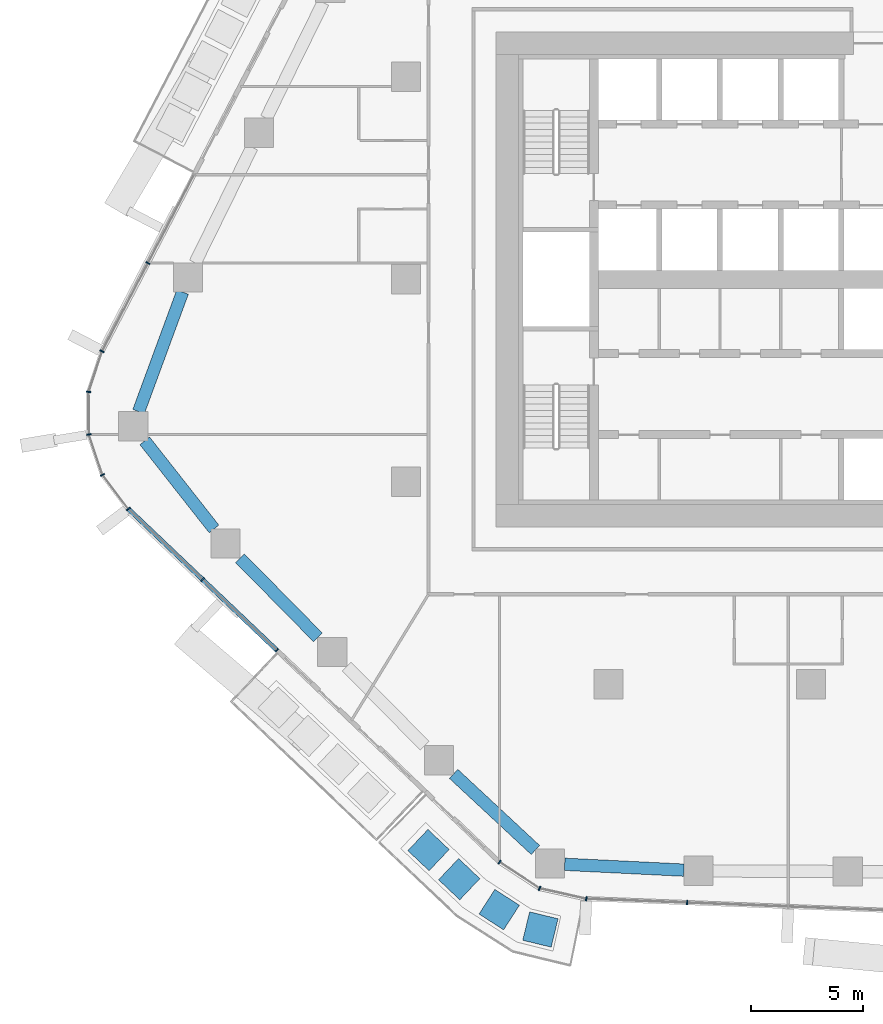
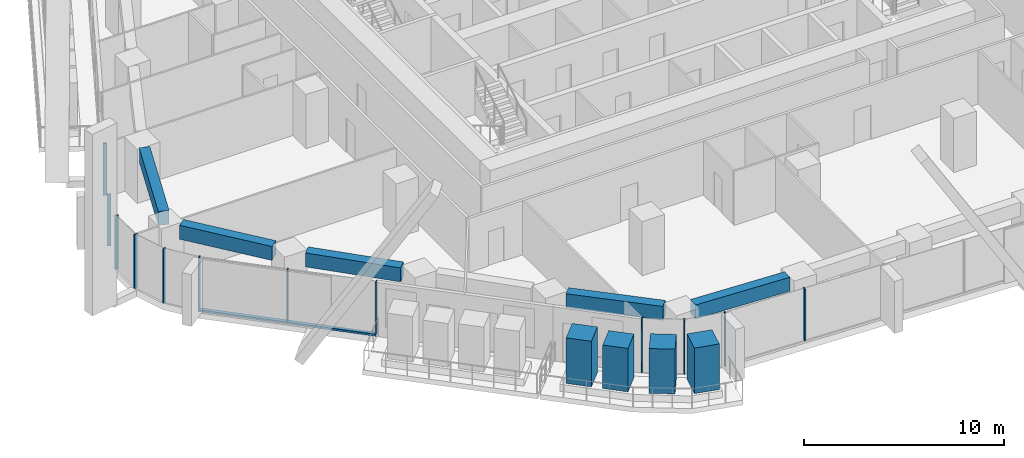
# One storey, part 2 of 24: 17 members, 5 beams, 5 elements without a shape of their own.
"""IFC4 building model written with IfcOpenShell, lengths in metres."""

import ifcopenshell
import ifcopenshell.guid

model = None  # the IFC model being written
_history = None  # IfcOwnerHistory: only IFC2X3 demands one
_inside = {}  # id of a spatial element -> (the spatial element, [elements in it])
_under = {}  # id of a project, library or spatial element -> (it, [spatial elements below it])
_declared = {}  # id of a project -> (the project, [libraries it declares])
_typed = {}  # id of a type object -> (the type object, [elements of that type])
_made_of = {}  # id of a material, layer set ... -> (it, [elements and type objects made of it])


def new_model(schema):
    """Start an empty IFC model of exactly this schema.

    Asked for "IFC4X3", IfcOpenShell would pick the latest addendum, in which some entities
    have other attributes; the version numbers below select the first issue.
    IFC2X3 requires an IfcOwnerHistory on every rooted entity: one is made here for all.
    """
    global model, _history
    if schema == "IFC4X3":
        model = ifcopenshell.file(schema_version=(4, 3, 0, 0))
    else:
        model = ifcopenshell.file(schema=schema)
    _inside.clear()
    _under.clear()
    _declared.clear()
    _typed.clear()
    _made_of.clear()
    _history = None
    if model.schema == "IFC2X3":
        org = make("IfcOrganization", Name="unknown")
        user = make(
            "IfcPersonAndOrganization",
            ThePerson=make("IfcPerson", FamilyName="unknown"),
            TheOrganization=org,
        )
        app = make(
            "IfcApplication",
            ApplicationDeveloper=org,
            Version="unknown",
            ApplicationFullName="unknown",
            ApplicationIdentifier="unknown",
        )
        _history = make(
            "IfcOwnerHistory",
            OwningUser=user,
            OwningApplication=app,
            ChangeAction="ADDED",
            CreationDate=0,
        )
    return model


def make(cls, **values):
    """One entity of the class cls with the attributes given. An attribute that is None is left unset."""
    return model.create_entity(
        cls, **{name: value for name, value in values.items() if value is not None}
    )


def rooted(cls, **values):
    """An entity with a GlobalId (a new one), such as an element, a storey or a relation."""
    return make(cls, GlobalId=ifcopenshell.guid.new(), OwnerHistory=_history, **values)


def si_unit(unit_type, name, prefix=None):
    """IfcSIUnit, for example si_unit("LENGTHUNIT", "METRE", prefix="MILLI")."""
    return make("IfcSIUnit", UnitType=unit_type, Prefix=prefix, Name=name)


def assignment(units):
    """IfcUnitAssignment: the units of a project."""
    return None if units is None else make("IfcUnitAssignment", Units=units)


def point(xyz):
    """IfcCartesianPoint."""
    return None if xyz is None else make("IfcCartesianPoint", Coordinates=xyz)


def direction(xyz):
    """IfcDirection."""
    return None if xyz is None else make("IfcDirection", DirectionRatios=xyz)


def frame(location, z_axis=None, x_axis=None):
    """IfcAxis2Placement3D, a coordinate frame: its origin and axes. An axis left out is left unset."""
    return make(
        "IfcAxis2Placement3D",
        Location=point(location),
        Axis=direction(z_axis),
        RefDirection=direction(x_axis),
    )


def frame_2d(location, x_axis=None):
    """IfcAxis2Placement2D, a coordinate frame in the plane: its origin and x axis."""
    return make(
        "IfcAxis2Placement2D", Location=point(location), RefDirection=direction(x_axis)
    )


def origin():
    """The frame at (0, 0, 0) with its axes left unset."""
    return frame((0.0, 0.0, 0.0))


def origin_2d():
    """The frame at (0, 0) in the plane with its x axis left unset."""
    return frame_2d((0.0, 0.0))


def place(relative_to, where):
    """IfcLocalPlacement: puts the frame where relative to a parent placement (None: the world)."""
    return make(
        "IfcLocalPlacement", PlacementRelTo=relative_to, RelativePlacement=where
    )


def context(
    kind, dimensions, precision=None, world=None, true_north=None, identifier=None
):
    """IfcGeometricRepresentationContext, for example the 3D "Model" context."""
    return make(
        "IfcGeometricRepresentationContext",
        ContextIdentifier=identifier,
        ContextType=kind,
        CoordinateSpaceDimension=dimensions,
        Precision=precision,
        WorldCoordinateSystem=world,
        TrueNorth=true_north,
    )


def subcontext(parent, identifier, kind, view, scale=None):
    """IfcGeometricRepresentationSubContext, for example "Body" below "Model"."""
    return make(
        "IfcGeometricRepresentationSubContext",
        ContextIdentifier=identifier,
        ContextType=kind,
        ParentContext=parent,
        TargetScale=scale,
        TargetView=view,
    )


def project(units=None, contexts=None):
    """IfcProject with its units and contexts."""
    return rooted(
        "IfcProject",
        Name="project",
        RepresentationContexts=contexts,
        UnitsInContext=assignment(units),
    )


def spatial(cls, under=None, at=None, **own):
    """A site, building, storey or space (cls), placed at a placement, below another one or the project."""
    s = rooted(cls, ObjectPlacement=at, **own)
    if under is not None:
        _under.setdefault(under.id(), (under, []))[1].append(s)
    return s


def profile(cls, at=None, kind="AREA", **sizes):
    """A parametric profile (cls). Its sizes go by their IFC names, for example OverallWidth=200.0."""
    return make(cls, ProfileType=kind, Position=at, **sizes)


def rectangle(**sizes):
    """IfcRectangleProfileDef."""
    return profile("IfcRectangleProfileDef", **sizes)


def extrude(swept, where, along, depth):
    """IfcExtrudedAreaSolid: the profile swept, set in the frame where, extruded along a direction by depth."""
    return make(
        "IfcExtrudedAreaSolid",
        SweptArea=swept,
        Position=where,
        ExtrudedDirection=direction(along),
        Depth=depth,
    )


def shape(context_of_items, identifier, shape_type, items):
    """IfcShapeRepresentation: the items that make up one representation, for example the "Body"."""
    return make(
        "IfcShapeRepresentation",
        ContextOfItems=context_of_items,
        RepresentationIdentifier=identifier,
        RepresentationType=shape_type,
        Items=items,
    )


def material(Name=None, Category=None):
    """IfcMaterial."""
    return make("IfcMaterial", Name=Name, Category=Category)


def layer(
    of_material, thickness, ventilated=None, Name=None, Category=None, Priority=None
):
    """IfcMaterialLayer: one layer of a wall or slab, of a material (None: an air gap)."""
    return make(
        "IfcMaterialLayer",
        Material=of_material,
        LayerThickness=thickness,
        IsVentilated=ventilated,
        Name=Name,
        Category=Category,
        Priority=Priority,
    )


def layer_set(layers, Name=None):
    """IfcMaterialLayerSet."""
    return make("IfcMaterialLayerSet", MaterialLayers=layers, LayerSetName=Name)


def material_profile(
    of_material, cross_section, Name=None, Category=None, Priority=None
):
    """IfcMaterialProfile: a cross section and its material."""
    return make(
        "IfcMaterialProfile",
        Name=Name,
        Material=of_material,
        Profile=cross_section,
        Priority=Priority,
        Category=Category,
    )


def profile_set(profiles, Name=None, composite=None):
    """IfcMaterialProfileSet."""
    return make(
        "IfcMaterialProfileSet",
        Name=Name,
        MaterialProfiles=profiles,
        CompositeProfile=composite,
    )


def made_of(thing, what):
    """Note that an element or type object is made of a material, layer set ...; save() writes the relation."""
    if what is not None:
        _made_of.setdefault(what.id(), (what, []))[1].append(thing)
    return thing


def type_object(cls, material=None, **own):
    """A type object (cls), such as IfcWallType, which elements share."""
    return made_of(rooted(cls, **own), material)


def element(
    cls,
    number,
    at=None,
    inside=None,
    cuts=None,
    type_object=None,
    material=None,
    context=None,
    identifier="Body",
    shape_type=None,
    held_by="IfcProductDefinitionShape",
    body=None,
    shapes=None,
    **own,
):
    """One element of the class cls, such as IfcWall. Its Tag is "e" and its number.

    at: its placement. inside: the storey or other place that contains it. cuts: it is an
    opening in that element (IfcRelVoidsElement). A single representation is given by context,
    identifier, shape_type and body (its items); several are given by shapes. held_by: the class
    of the entity that holds the representations. save() writes the other relations.
    """
    e = rooted(cls, Tag="e%d" % number, ObjectPlacement=at, **own)
    if body is not None:
        shapes = [shape(context, identifier, shape_type, body)]
    if shapes is not None:
        e.Representation = make(held_by, Representations=shapes)
    if inside is not None:
        _inside.setdefault(inside.id(), (inside, []))[1].append(e)
    if cuts is not None:
        rooted(
            "IfcRelVoidsElement", RelatingBuildingElement=cuts, RelatedOpeningElement=e
        )
    if type_object is not None:
        _typed.setdefault(type_object.id(), (type_object, []))[1].append(e)
    return made_of(e, material)


def aggregate(whole, parts):
    """IfcRelAggregates: a whole, such as a stair, and the parts it consists of."""
    return rooted("IfcRelAggregates", RelatingObject=whole, RelatedObjects=parts)


def save(model, path):
    """Write the relations noted so far, then the file.

    IfcRelAggregates (storeys below a building ...), IfcRelContainedInSpatialStructure (elements
    in a storey), IfcRelDefinesByType, IfcRelAssociatesMaterial and IfcRelDeclares: one each for
    every whole, place, type object, material and project.
    """
    for whole, parts in _under.values():
        aggregate(whole, parts)
    for where, things in _inside.values():
        rooted(
            "IfcRelContainedInSpatialStructure",
            RelatedElements=things,
            RelatingStructure=where,
        )
    for kind, things in _typed.values():
        rooted("IfcRelDefinesByType", RelatedObjects=things, RelatingType=kind)
    for what, things in _made_of.values():
        rooted("IfcRelAssociatesMaterial", RelatedObjects=things, RelatingMaterial=what)
    for by, libraries in _declared.values():
        rooted("IfcRelDeclares", RelatingContext=by, RelatedDefinitions=libraries)
    model.write(path)


model = new_model("IFC4")

# Units and contexts
model_context = context("Model", 3, precision=1e-05, world=origin(), true_north=direction((0.0, 1.0)))
body_context = subcontext(model_context, "Body", "Model", "MODEL_VIEW")
ifc_project = project(units=[si_unit("LENGTHUNIT", "METRE"), si_unit("AREAUNIT", "SQUARE_METRE"), si_unit("VOLUMEUNIT", "CUBIC_METRE"), si_unit("PLANEANGLEUNIT", "RADIAN"), si_unit("MASSUNIT", "GRAM", prefix="KILO")], contexts=[model_context])

# Site, building, storey
site_placement = place(None, origin())
site = spatial("IfcSite", under=ifc_project, at=site_placement, CompositionType="ELEMENT")
building_placement = place(site_placement, origin())
building = spatial("IfcBuilding", under=site, at=building_placement, Name="Dongbaek Canopy Tower", CompositionType="ELEMENT")
storey_placement = place(building_placement, frame((0.0, 0.0, 128.5)))
storey = spatial("IfcBuildingStorey", under=building, at=storey_placement, Name="L28", CompositionType="ELEMENT", Elevation=128.5)

# Curtain wall, members
ifc_material_1 = material(Name="Aluminium 6063-T6 pale anodised", Category="aluminium")
ifc_layer = layer(ifc_material_1, 0.199951171875)
ifc_layer_set = layer_set([ifc_layer], Name="CW-1 unitised tower curtain wall")
curtain_wall_type = type_object("IfcCurtainWallType", Name="CW-1 unitised tower curtain wall", PredefinedType="NOTDEFINED", material=ifc_layer_set)
curtain_wall_1_placement = place(storey_placement, origin())
curtain_wall_1 = element("IfcCurtainWall", 1, at=curtain_wall_1_placement, inside=storey, type_object=curtain_wall_type, Name="CW-1 curtain wall F2.1", PredefinedType="NOTDEFINED")
ifc_material_2 = material(Name="Aluminium 6063-T6 pale anodised", Category="aluminium")
ifc_material_profile_1 = material_profile(ifc_material_2, rectangle(XDim=0.199951171875, YDim=0.06005859375, at=origin_2d()), Name="CW-1 mullion 60 x 200")
ifc_profile_set_1 = profile_set([ifc_material_profile_1], Name="Aluminium 6063-T6 pale anodised")
member_type_1 = type_object("IfcMemberType", Name="CW-1 mullion 60 x 200", PredefinedType="MULLION", material=ifc_profile_set_1)
member_1_placement = place(storey_placement, frame((-29.468017578125, 0.722900390625, 0.1201171875), z_axis=(0.0, 0.0, 1.0), x_axis=(-0.886926731215, 0.461910135693, 0.0)))
member_1 = element("IfcMember", 2, at=member_1_placement, type_object=member_type_1, Name="CW-1 mullion F2.1.2", PredefinedType="MULLION", context=body_context, shape_type="SweptSolid", body=[
    extrude(rectangle(XDim=0.199951171875, YDim=0.06005859375, at=origin_2d()), origin(), (0.0, 0.0, 1.0), 3.179931640625),
])
member_2_placement = place(storey_placement, frame((-31.5078125, -3.19384765625, 0.1201171875), z_axis=(0.0, 0.0, 1.0), x_axis=(-0.886926731215, 0.461910135693, 0.0)))
member_2 = element("IfcMember", 3, at=member_2_placement, type_object=member_type_1, Name="CW-1 mullion F2.1.3", PredefinedType="MULLION", context=body_context, shape_type="SweptSolid", body=[
    extrude(rectangle(XDim=0.199951171875, YDim=0.06005859375, at=origin_2d()), origin(), (0.0, 0.0, 1.0), 3.179931640625),
])
aggregate(curtain_wall_1, [member_1, member_2])

curtain_wall_2_placement = place(storey_placement, origin())
curtain_wall_2 = element("IfcCurtainWall", 4, at=curtain_wall_2_placement, inside=storey, type_object=curtain_wall_type, Name="CW-1 curtain wall K3.1", PredefinedType="NOTDEFINED")
member_3_placement = place(storey_placement, frame((-32.1044921875, -5.0009765625, 0.0), z_axis=(0.0, 0.0, 1.0), x_axis=(-0.987615763611, 0.156892012119, 0.0)))
member_3 = element("IfcMember", 5, at=member_3_placement, type_object=member_type_1, Name="CW-1 mullion K3.1.2", PredefinedType="MULLION", context=body_context, shape_type="SweptSolid", body=[
    extrude(rectangle(XDim=0.199951171875, YDim=0.06005859375, at=origin_2d()), origin(), (0.0, 0.0, 1.0), 3.300048828125),
])
member_4_placement = place(storey_placement, frame((-32.09716796875, -6.8955078125, 0.0), z_axis=(0.0, 0.0, 1.0), x_axis=(-0.986408194435, -0.164313340761, 0.0)))
member_4 = element("IfcMember", 6, at=member_4_placement, type_object=member_type_1, Name="CW-1 mullion K3.1.3", PredefinedType="MULLION", context=body_context, shape_type="SweptSolid", body=[
    extrude(rectangle(XDim=0.199951171875, YDim=0.06005859375, at=origin_2d()), origin(), (0.0, 0.0, 1.0), 3.300048828125),
])
member_5_placement = place(storey_placement, frame((-31.48974609375, -8.690185546875, 0.0), z_axis=(0.0, 0.0, 1.0), x_axis=(-0.883428613843, -0.468565773658, 0.0)))
member_5 = element("IfcMember", 7, at=member_5_placement, type_object=member_type_1, Name="CW-1 mullion K3.1.4", PredefinedType="MULLION", context=body_context, shape_type="SweptSolid", body=[
    extrude(rectangle(XDim=0.199951171875, YDim=0.06005859375, at=origin_2d()), origin(), (0.0, 0.0, 1.0), 3.300048828125),
])
member_6_placement = place(storey_placement, frame((-30.33984375, -10.206298828125, 0.0), z_axis=(0.0, 0.0, 1.0), x_axis=(-0.796707337317, -0.604365302334, 0.0)))
member_6 = element("IfcMember", 8, at=member_6_placement, type_object=member_type_1, Name="CW-1 mullion K3.1.5", PredefinedType="MULLION", context=body_context, shape_type="SweptSolid", body=[
    extrude(rectangle(XDim=0.199951171875, YDim=0.06005859375, at=origin_2d()), origin(), (0.0, 0.0, 1.0), 3.300048828125),
])
aggregate(curtain_wall_2, [member_3, member_4, member_5, member_6])

curtain_wall_3_placement = place(storey_placement, origin())
curtain_wall_3 = element("IfcCurtainWall", 9, at=curtain_wall_3_placement, inside=storey, type_object=curtain_wall_type, Name="CW-1 curtain wall F3.1", PredefinedType="NOTDEFINED")
member_7_placement = place(storey_placement, frame((-27.04345703125, -13.342529296875, 0.1201171875), z_axis=(0.0, 0.0, 1.0), x_axis=(-0.689301871769, -0.724474243555, 0.0)))
member_7 = element("IfcMember", 10, at=member_7_placement, type_object=member_type_1, Name="CW-1 mullion F3.1.2", PredefinedType="MULLION", context=body_context, shape_type="SweptSolid", body=[
    extrude(rectangle(XDim=0.199951171875, YDim=0.06005859375, at=origin_2d()), origin(), (0.0, 0.0, 1.0), 3.179931640625),
])
member_8_placement = place(storey_placement, frame((-23.741455078125, -16.484375, 0.1201171875), z_axis=(0.0, 0.0, 1.0), x_axis=(-0.689301871769, -0.724474243555, 0.0)))
member_8 = element("IfcMember", 11, at=member_8_placement, type_object=member_type_1, Name="CW-1 mullion F3.1.3", PredefinedType="MULLION", context=body_context, shape_type="SweptSolid", body=[
    extrude(rectangle(XDim=0.199951171875, YDim=0.06005859375, at=origin_2d()), origin(), (0.0, 0.0, 1.0), 3.179931640625),
])

curtain_wall_4_placement = place(storey_placement, origin())
curtain_wall_4 = element("IfcCurtainWall", 12, at=curtain_wall_4_placement, inside=storey, type_object=curtain_wall_type, Name="CW-1 curtain wall K4.1", PredefinedType="NOTDEFINED")
member_9_placement = place(storey_placement, frame((-13.841796875, -25.9033203125, 0.0), z_axis=(0.0, 0.0, 1.0), x_axis=(-0.548059849958, -0.83643911964, 0.0)))
member_9 = element("IfcMember", 13, at=member_9_placement, type_object=member_type_1, Name="CW-1 mullion K4.1.1", PredefinedType="MULLION", context=body_context, shape_type="SweptSolid", body=[
    extrude(rectangle(XDim=0.199951171875, YDim=0.06005859375, at=origin_2d()), origin(), (0.0, 0.0, 1.0), 3.300048828125),
])
member_10_placement = place(storey_placement, frame((-12.062744140625, -27.069091796875, 0.0), z_axis=(0.0, 0.0, 1.0), x_axis=(-0.389013861584, -0.921231901041, 0.0)))
member_10 = element("IfcMember", 14, at=member_10_placement, type_object=member_type_1, Name="CW-1 mullion K4.1.2", PredefinedType="MULLION", context=body_context, shape_type="SweptSolid", body=[
    extrude(rectangle(XDim=0.199951171875, YDim=0.06005859375, at=origin_2d()), origin(), (0.0, 0.0, 1.0), 3.300048828125),
])
member_11_placement = place(storey_placement, frame((-9.98681640625, -27.53125, 0.0), z_axis=(0.0, 0.0, 1.0), x_axis=(-0.21733058588, -0.976098056776, 0.0)))
member_11 = element("IfcMember", 15, at=member_11_placement, type_object=member_type_1, Name="CW-1 mullion K4.1.3", PredefinedType="MULLION", context=body_context, shape_type="SweptSolid", body=[
    extrude(rectangle(XDim=0.199951171875, YDim=0.06005859375, at=origin_2d()), origin(), (0.0, 0.0, 1.0), 3.300048828125),
])
aggregate(curtain_wall_4, [member_9, member_10, member_11])

# Curtain wall, member
curtain_wall_5_placement = place(storey_placement, origin())
curtain_wall_5 = element("IfcCurtainWall", 16, at=curtain_wall_5_placement, inside=storey, type_object=curtain_wall_type, Name="CW-1 curtain wall F4.1", PredefinedType="NOTDEFINED")
member_12_placement = place(storey_placement, frame((-5.50341796875, -27.704345703125, 0.1201171875), z_axis=(0.0, 0.0, 1.0), x_axis=(-0.038587229989, -0.999255235504, 0.0)))
member_12 = element("IfcMember", 17, at=member_12_placement, type_object=member_type_1, Name="CW-1 mullion F4.1.2", PredefinedType="MULLION", context=body_context, shape_type="SweptSolid", body=[
    extrude(rectangle(XDim=0.199951171875, YDim=0.06005859375, at=origin_2d()), origin(), (0.0, 0.0, 1.0), 3.179931640625),
])
aggregate(curtain_wall_5, [member_12])

# Member
ifc_material_3 = material(Name="Aluminium 6063-T6 pale anodised", Category="aluminium")
ifc_material_profile_2 = material_profile(ifc_material_3, rectangle(XDim=0.199951171875, YDim=0.1201171875, at=origin_2d()), Name="CW-1 transom 120 x 200")
ifc_profile_set_2 = profile_set([ifc_material_profile_2], Name="Aluminium 6063-T6 pale anodised")
member_type_2 = type_object("IfcMemberType", Name="CW-1 transom 120 x 200", PredefinedType="USERDEFINED", material=ifc_profile_set_2)
member_13_placement = place(storey_placement, frame((-30.33984375, -10.206298828125, 0.06005859375), z_axis=(0.724472516228, -0.689303687231, 0.0), x_axis=(0.689303687231, 0.724472516228, 0.0)))
member_13 = element("IfcMember", 18, at=member_13_placement, type_object=member_type_2, Name="CW-1 transom F3.1.1", ObjectType="TRANSOM", PredefinedType="USERDEFINED", context=body_context, shape_type="SweptSolid", body=[
    extrude(rectangle(XDim=0.199951171875, YDim=0.1201171875, at=origin_2d()), origin(), (0.0, 0.0, 1.0), 9.10791015625),
])

aggregate(curtain_wall_3, [member_7, member_8, member_13])

# Beams
ifc_material_4 = material(Name="Concrete C80", Category="concrete")
ifc_material_profile_3 = material_profile(ifc_material_4, rectangle(XDim=0.550048828125, YDim=0.85009765625, at=origin_2d()), Name="RC EDGE BEAM 550x850 C80")
ifc_profile_set_3 = profile_set([ifc_material_profile_3], Name="Concrete C80")
beam_type = type_object("IfcBeamType", Name="RC EDGE BEAM 550x850 C80", PredefinedType="BEAM", material=ifc_profile_set_3)
beam_1_placement = place(storey_placement, frame((-5.64990234375, -26.258056640625, 2.875), z_axis=(-0.998796128786, 0.049053981722, 0.0), x_axis=(-0.049053981722, -0.998796128786, 0.0)))
element("IfcBeam", 19, at=beam_1_placement, inside=storey, type_object=beam_type, Name="EDGEBEAM:L28:03", PredefinedType="BEAM", context=body_context, shape_type="SweptSolid", body=[
    extrude(rectangle(XDim=0.550048828125, YDim=0.85009765625, at=origin_2d()), origin(), (0.0, 0.0, 1.0), 5.305419921875),
])
beam_2_placement = place(storey_placement, frame((-12.2490234375, -25.361328125, 2.875), z_axis=(-0.732272884801, 0.681011323097, 0.0), x_axis=(-0.681011323097, -0.732272884801, 0.0)))
element("IfcBeam", 20, at=beam_2_placement, inside=storey, type_object=beam_type, Name="EDGEBEAM:L28:04", PredefinedType="BEAM", context=body_context, shape_type="SweptSolid", body=[
    extrude(rectangle(XDim=0.550048828125, YDim=0.85009765625, at=origin_2d()), origin(), (0.0, 0.0, 1.0), 4.962646484375),
])
beam_3_placement = place(storey_placement, frame((-21.9169921875, -15.909912109375, 2.875), z_axis=(-0.70172014863, 0.712452688259, 0.0), x_axis=(-0.712452688259, -0.70172014863, 0.0)))
element("IfcBeam", 21, at=beam_3_placement, inside=storey, type_object=beam_type, Name="EDGEBEAM:L28:06", PredefinedType="BEAM", context=body_context, shape_type="SweptSolid", body=[
    extrude(rectangle(XDim=0.550048828125, YDim=0.85009765625, at=origin_2d()), origin(), (0.0, 0.0, 1.0), 4.936279296875),
])
beam_4_placement = place(storey_placement, frame((-26.532470703125, -11.093017578125, 2.875), z_axis=(-0.618340753303, 0.78591011751, 0.0), x_axis=(-0.78591011751, -0.618340753303, 0.0)))
element("IfcBeam", 22, at=beam_4_placement, inside=storey, type_object=beam_type, Name="EDGEBEAM:L28:07", PredefinedType="BEAM", context=body_context, shape_type="SweptSolid", body=[
    extrude(rectangle(XDim=0.550048828125, YDim=0.85009765625, at=origin_2d()), origin(), (0.0, 0.0, 1.0), 4.982666015625),
])
beam_5_placement = place(storey_placement, frame((-29.8857421875, -5.876953125, 2.875), z_axis=(0.345281407117, 0.938499200799, 0.0), x_axis=(-0.938499200799, 0.345281407117, 0.0)))
element("IfcBeam", 23, at=beam_5_placement, inside=storey, type_object=beam_type, Name="EDGEBEAM:L28:08", PredefinedType="BEAM", context=body_context, shape_type="SweptSolid", body=[
    extrude(rectangle(XDim=0.550048828125, YDim=0.85009765625, at=origin_2d()), origin(), (0.0, 0.0, 1.0), 5.657958984375),
])

# Members
ifc_material_5 = material(Name="Concrete C40/50 planter mass with planting", Category="concrete")
ifc_material_profile_4 = material_profile(ifc_material_5, rectangle(XDim=1.300048828125, YDim=1.300048828125, at=origin_2d()), Name="Terrace PLANTER shrub mass 1300 x 1300")
ifc_profile_set_4 = profile_set([ifc_material_profile_4], Name="Concrete C40/50 planter mass with planting")
member_type_3 = type_object("IfcMemberType", Name="Terrace PLANTER shrub mass 1300 x 1300", PredefinedType="USERDEFINED", material=ifc_profile_set_4)
member_14_placement = place(storey_placement, frame((-17.00048828125, -25.3662109375, 0.419921875), z_axis=(0.0, 0.0, 1.0), x_axis=(-0.687975835492, -0.72573359422, 0.0)))
element("IfcMember", 24, at=member_14_placement, inside=storey, type_object=member_type_3, Name="Planter shrubs L28 7.1", ObjectType="PLANTER", PredefinedType="USERDEFINED", context=body_context, shape_type="SweptSolid", body=[
    extrude(rectangle(XDim=1.300048828125, YDim=1.300048828125, at=origin_2d()), origin(), (0.0, 0.0, 1.0), 2.780029296875),
])
member_15_placement = place(storey_placement, frame((-15.63623046875, -26.65966796875, 0.419921875), z_axis=(0.0, 0.0, 1.0), x_axis=(-0.687975835492, -0.72573359422, 0.0)))
element("IfcMember", 25, at=member_15_placement, inside=storey, type_object=member_type_3, Name="Planter shrubs L28 7.2", ObjectType="PLANTER", PredefinedType="USERDEFINED", context=body_context, shape_type="SweptSolid", body=[
    extrude(rectangle(XDim=1.300048828125, YDim=1.300048828125, at=origin_2d()), origin(), (0.0, 0.0, 1.0), 2.650146484375),
])
member_16_placement = place(storey_placement, frame((-13.85693359375, -28.012939453125, 0.419921875), z_axis=(0.0, 0.0, 1.0), x_axis=(-0.541448947482, -0.840733630391, 0.0)))
element("IfcMember", 26, at=member_16_placement, inside=storey, type_object=member_type_3, Name="Planter shrubs L28 7.3", ObjectType="PLANTER", PredefinedType="USERDEFINED", context=body_context, shape_type="SweptSolid", body=[
    extrude(rectangle(XDim=1.300048828125, YDim=1.300048828125, at=origin_2d()), origin(), (0.0, 0.0, 1.0), 2.72998046875),
])
member_17_placement = place(storey_placement, frame((-12.027099609375, -28.896728515625, 0.419921875), z_axis=(0.0, 0.0, 1.0), x_axis=(-0.235066563542, -0.971979274833, 0.0)))
element("IfcMember", 27, at=member_17_placement, inside=storey, type_object=member_type_3, Name="Planter shrubs L28 7.4", ObjectType="PLANTER", PredefinedType="USERDEFINED", context=body_context, shape_type="SweptSolid", body=[
    extrude(rectangle(XDim=1.300048828125, YDim=1.300048828125, at=origin_2d()), origin(), (0.0, 0.0, 1.0), 2.780029296875),
])

save(model, "model.ifc")
